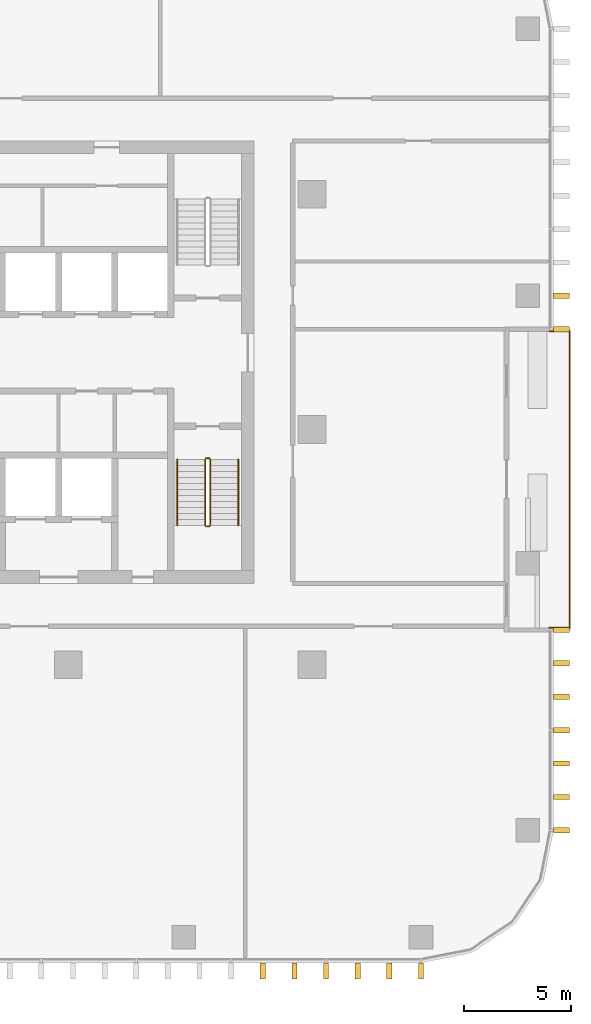
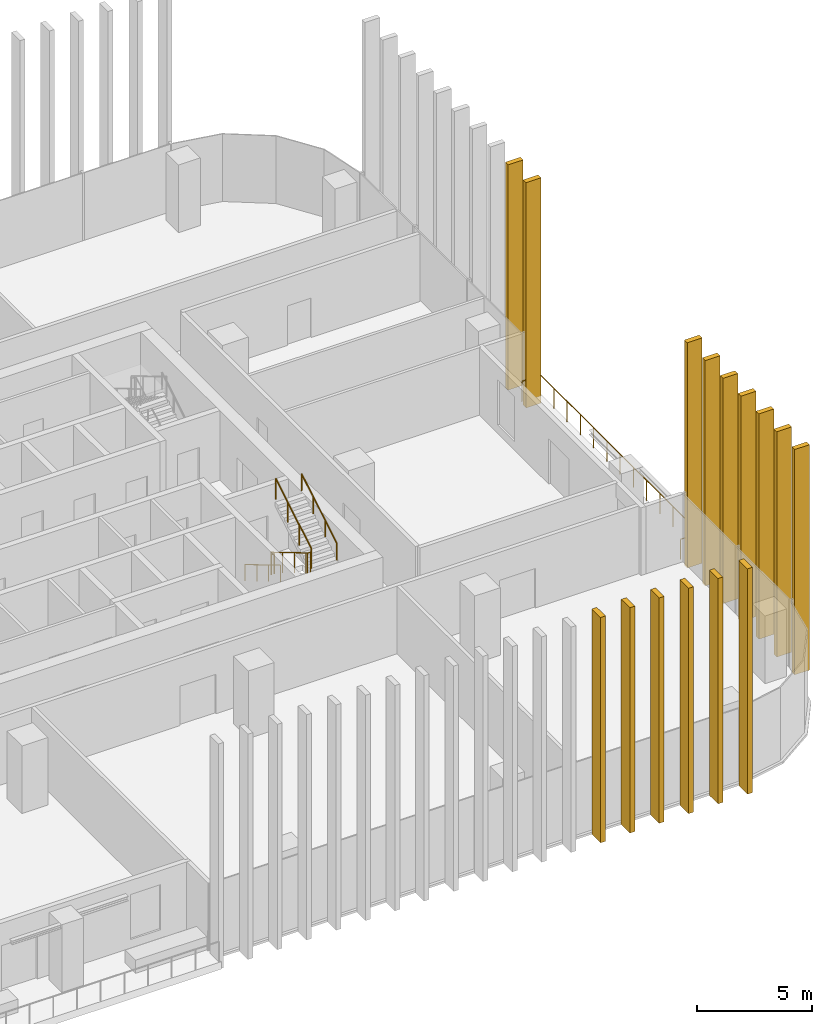
# One storey, part 13 of 15: 15 shading devices, 6 railings.
"""IFC4 building model written with IfcOpenShell, lengths in metres."""

from ifc_helpers import new_model, si_unit, direction, frame, origin, origin_2d, place, context, subcontext, project, spatial, rectangle, circle, extrude, material, type_object, element, save


model = new_model("IFC4")

# Units and contexts
model_context = context("Model", 3, precision=1e-05, world=origin(), true_north=direction((0.0, 1.0)))
body_context = subcontext(model_context, "Body", "Model", "MODEL_VIEW")
ifc_project = project(units=[si_unit("LENGTHUNIT", "METRE"), si_unit("AREAUNIT", "SQUARE_METRE"), si_unit("VOLUMEUNIT", "CUBIC_METRE"), si_unit("PLANEANGLEUNIT", "RADIAN"), si_unit("MASSUNIT", "GRAM", prefix="KILO")], contexts=[model_context])

# Site, building, storey
site_placement = place(None, origin())
site = spatial("IfcSite", under=ifc_project, at=site_placement, CompositionType="ELEMENT")
building_placement = place(site_placement, origin())
building = spatial("IfcBuilding", under=site, at=building_placement, Name="Mopane Tessera Tower", CompositionType="ELEMENT")
storey_placement = place(building_placement, frame((0.0, 0.0, 223.0)))
storey = spatial("IfcBuildingStorey", under=building, at=storey_placement, Name="L47", CompositionType="ELEMENT", Elevation=223.0)

# Shading devices
ifc_material_1 = material(Name="Glazed ceramic tile")
shading_device_type = type_object("IfcShadingDeviceType", Name="Ceramic tile fin 750 x 250 mm", PredefinedType="USERDEFINED", material=ifc_material_1)
for number, where, z_axis, x_axis, name in (
    (1, (14.800048828125, -25.324951171875, -0.39990234375), (0.0, 0.0, 1.0), (1.0, 0.0, 0.0), "e:fin:L47:S:8:1"),
    (2, (16.280029296875, -25.324951171875, -0.39990234375), (0.0, 0.0, 1.0), (1.0, 0.0, 0.0), "e:fin:L47:S:8:2"),
    (3, (17.760009765625, -25.324951171875, -0.39990234375), (0.0, 0.0, 1.0), (1.0, 0.0, 0.0), "e:fin:L47:S:9:0"),
    (4, (19.239990234375, -25.324951171875, -0.39990234375), (0.0, 0.0, 1.0), (1.0, 0.0, 0.0), "e:fin:L47:S:9:1"),
    (5, (20.719970703125, -25.324951171875, -0.39990234375), (0.0, 0.0, 1.0), (1.0, 0.0, 0.0), "e:fin:L47:S:9:2"),
    (6, (22.199951171875, -25.324951171875, -0.39990234375), (0.0, 0.0, 1.0), (1.0, 0.0, 0.0), "e:fin:L47:S:9:3"),
    (7, (28.77490234375, -18.75, -0.39990234375), (0.0, 0.0, 1.0), (0.0, 1.0, 0.0), "e:fin:L47:E:0:0"),
    (8, (28.77490234375, -17.1875, -0.39990234375), (0.0, 0.0, 1.0), (0.0, 1.0, 0.0), "e:fin:L47:E:0:1"),
    (9, (28.77490234375, -15.625, -0.39990234375), (0.0, 0.0, 1.0), (0.0, 1.0, 0.0), "e:fin:L47:E:0:2"),
    (10, (28.77490234375, -14.0625, -0.39990234375), (0.0, 0.0, 1.0), (0.0, 1.0, 0.0), "e:fin:L47:E:1:0"),
    (11, (28.77490234375, -12.5, -0.39990234375), (0.0, 0.0, 1.0), (0.0, 1.0, 0.0), "e:fin:L47:E:1:1"),
    (12, (28.77490234375, -10.9375, -0.39990234375), (0.0, 0.0, 1.0), (0.0, 1.0, 0.0), "e:fin:L47:E:1:2"),
    (13, (28.77490234375, -9.375, -0.39990234375), (0.0, 0.0, 1.0), (0.0, 1.0, 0.0), "e:fin:L47:E:1:3"),
    (14, (28.77490234375, 4.6875, -0.39990234375), (0.0, 0.0, 1.0), (0.0, 1.0, 0.0), "e:fin:L47:E:5:0"),
    (15, (28.77490234375, 6.25, -0.39990234375), (0.0, 0.0, 1.0), (0.0, 1.0, 0.0), "e:fin:L47:E:5:1"),
):
    element("IfcShadingDevice", number, at=place(storey_placement, frame(where, z_axis=z_axis, x_axis=x_axis)), inside=storey, type_object=shading_device_type, Name=name, ObjectType="FIN", PredefinedType="USERDEFINED", context=body_context, shape_type="SweptSolid", body=[
        extrude(rectangle(XDim=0.25, YDim=0.75, at=origin_2d()), origin(), (0.0, 0.0, 1.0), 12.0),
    ])

# Railings
ifc_material_2 = material(Name="Powder-coated steel balustrade", Category="steel")
railing_type_1 = type_object("IfcRailingType", Name="Escape stair guard 1100 mm", PredefinedType="GUARDRAIL", material=ifc_material_2)
railing_1_placement = place(storey_placement, frame((12.10009765625, -1.39990234375, 0.166748046875)))
element("IfcRailing", 16, at=railing_1_placement, inside=storey, type_object=railing_type_1, Name="L47 ST3 stair guard 1", PredefinedType="GUARDRAIL", context=body_context, shape_type="SweptSolid", body=[
    extrude(circle(Radius=0.02392578125, at=origin_2d()), frame((0.0, 0.0, 1.076171875), z_axis=(0.0, -0.859308565015, 0.511457515432), x_axis=(1.0, 0.0, 0.0)), (0.0, 0.0, 1.0), 3.58447265625),
    extrude(circle(Radius=0.02392578125, at=origin_2d()), frame((0.0, -3.080078125, 2.9091796875), z_axis=(0.705375805398, -0.708833529934, 0.0), x_axis=(0.708833529934, 0.705375805398, 0.0)), (0.0, 0.0, 1.0), 0.070556640625),
    extrude(circle(Radius=0.02392578125, at=origin_2d()), frame((0.0498046875, -3.130126953125, 2.9091796875), z_axis=(1.0, 0.0, 0.0), x_axis=(0.0, 1.0, 0.0)), (0.0, 0.0, 1.0), 0.150146484375),
    extrude(circle(Radius=0.02099609375, at=origin_2d()), origin(), (0.0, 0.0, 1.0), 1.052001953125),
    extrude(circle(Radius=0.02099609375, at=origin_2d()), frame((0.0, -1.026611328125, 0.611083984375)), (0.0, 0.0, 1.0), 1.052001953125),
    extrude(circle(Radius=0.02099609375, at=origin_2d()), frame((0.0, -2.053466796875, 1.22216796875)), (0.0, 0.0, 1.0), 1.052001953125),
    extrude(circle(Radius=0.02099609375, at=origin_2d()), frame((0.0, -3.080078125, 1.833251953125)), (0.0, 0.0, 1.0), 1.052001953125),
    extrude(circle(Radius=0.02099609375, at=origin_2d()), frame((0.0498046875, -3.130126953125, 1.833251953125)), (0.0, 0.0, 1.0), 1.052001953125),
    extrude(circle(Radius=0.02099609375, at=origin_2d()), frame((0.199951171875, -3.130126953125, 1.833251953125)), (0.0, 0.0, 1.0), 1.052001953125),
])
railing_2_placement = place(storey_placement, frame((12.35009765625, -4.47998046875, 2.166748046875)))
element("IfcRailing", 17, at=railing_2_placement, inside=storey, type_object=railing_type_1, Name="L47 ST3 stair guard 2", PredefinedType="GUARDRAIL", context=body_context, shape_type="SweptSolid", body=[
    extrude(circle(Radius=0.02392578125, at=origin_2d()), frame((0.0, 0.0, 1.076171875), z_axis=(0.0, 0.859308565015, 0.511457515432), x_axis=(-1.0, 0.0, 0.0)), (0.0, 0.0, 1.0), 3.58447265625),
    extrude(circle(Radius=0.02099609375, at=origin_2d()), origin(), (0.0, 0.0, 1.0), 1.052001953125),
    extrude(circle(Radius=0.02099609375, at=origin_2d()), frame((0.0, 1.026611328125, 0.611083984375)), (0.0, 0.0, 1.0), 1.052001953125),
    extrude(circle(Radius=0.02099609375, at=origin_2d()), frame((0.0, 2.053466796875, 1.22216796875)), (0.0, 0.0, 1.0), 1.052001953125),
    extrude(circle(Radius=0.02099609375, at=origin_2d()), frame((0.0, 3.080078125, 1.833251953125)), (0.0, 0.0, 1.0), 1.052001953125),
])
railing_3_placement = place(storey_placement, frame((12.14990234375, -1.35009765625, 0.0)))
element("IfcRailing", 18, at=railing_3_placement, inside=storey, type_object=railing_type_1, Name="L47 ST3 stair guard 3", PredefinedType="GUARDRAIL", context=body_context, shape_type="SweptSolid", body=[
    extrude(circle(Radius=0.02392578125, at=origin_2d()), frame((0.0, 0.0, 1.076171875), z_axis=(1.0, 0.0, 0.0), x_axis=(0.0, 1.0, 0.0)), (0.0, 0.0, 1.0), 0.150146484375),
    extrude(circle(Radius=0.02099609375, at=origin_2d()), origin(), (0.0, 0.0, 1.0), 1.052001953125),
    extrude(circle(Radius=0.02099609375, at=origin_2d()), frame((0.150146484375, 0.0, 0.0)), (0.0, 0.0, 1.0), 1.052001953125),
])
ifc_material_3 = material(Name="Powder-coated steel balustrade", Category="steel")
railing_type_2 = type_object("IfcRailingType", Name="Escape stair handrail 900 mm", PredefinedType="HANDRAIL", material=ifc_material_3)
railing_4_placement = place(storey_placement, frame((10.800048828125, -1.39990234375, 0.166748046875)))
element("IfcRailing", 19, at=railing_4_placement, inside=storey, type_object=railing_type_2, Name="L47 ST3 stair handrail 1", PredefinedType="HANDRAIL", context=body_context, shape_type="SweptSolid", body=[
    extrude(circle(Radius=0.02392578125, at=origin_2d()), frame((0.0, 0.0, 0.8759765625), z_axis=(0.0, -0.859308565015, 0.511457515432), x_axis=(1.0, 0.0, 0.0)), (0.0, 0.0, 1.0), 3.58447265625),
    extrude(circle(Radius=0.02099609375, at=origin_2d()), origin(), (0.0, 0.0, 1.0), 0.851806640625),
    extrude(circle(Radius=0.02099609375, at=origin_2d()), frame((0.0, -1.026611328125, 0.611083984375)), (0.0, 0.0, 1.0), 0.851806640625),
    extrude(circle(Radius=0.02099609375, at=origin_2d()), frame((0.0, -2.053466796875, 1.22216796875)), (0.0, 0.0, 1.0), 0.851806640625),
    extrude(circle(Radius=0.02099609375, at=origin_2d()), frame((0.0, -3.080078125, 1.833251953125)), (0.0, 0.0, 1.0), 0.851806640625),
])
railing_5_placement = place(storey_placement, frame((13.64990234375, -4.47998046875, 2.166748046875)))
element("IfcRailing", 20, at=railing_5_placement, inside=storey, type_object=railing_type_2, Name="L47 ST3 stair handrail 2", PredefinedType="HANDRAIL", context=body_context, shape_type="SweptSolid", body=[
    extrude(circle(Radius=0.02392578125, at=origin_2d()), frame((0.0, 0.0, 0.8759765625), z_axis=(0.0, 0.859308565015, 0.511457515432), x_axis=(-1.0, 0.0, 0.0)), (0.0, 0.0, 1.0), 3.58447265625),
    extrude(circle(Radius=0.02099609375, at=origin_2d()), origin(), (0.0, 0.0, 1.0), 0.851806640625),
    extrude(circle(Radius=0.02099609375, at=origin_2d()), frame((0.0, 1.026611328125, 0.611083984375)), (0.0, 0.0, 1.0), 0.851806640625),
    extrude(circle(Radius=0.02099609375, at=origin_2d()), frame((0.0, 2.053466796875, 1.22216796875)), (0.0, 0.0, 1.0), 0.851806640625),
    extrude(circle(Radius=0.02099609375, at=origin_2d()), frame((0.0, 3.080078125, 1.833251953125)), (0.0, 0.0, 1.0), 0.851806640625),
])
ifc_material_4 = material(Name="Stainless steel S316", Category="steel")
railing_type_3 = type_object("IfcRailingType", Name="Terrace guard 1100", PredefinedType="GUARDRAIL", material=ifc_material_4)
railing_6_placement = place(storey_placement, frame((28.199951171875, -9.27490234375, 0.0)))
element("IfcRailing", 21, at=railing_6_placement, inside=storey, type_object=railing_type_3, Name="e:nw:L47:N2:guard", PredefinedType="GUARDRAIL", context=body_context, shape_type="SweptSolid", body=[
    extrude(circle(Radius=0.02392578125, at=origin_2d()), frame((0.0, 0.0, 1.076171875), z_axis=(1.0, 0.0, 0.0), x_axis=(0.0, 1.0, 0.0)), (0.0, 0.0, 1.0), 0.949951171875),
    extrude(circle(Radius=0.02392578125, at=origin_2d()), frame((0.949951171875, 0.0, 1.076171875), z_axis=(0.0, 1.0, 0.0), x_axis=(-1.0, 0.0, 0.0)), (0.0, 0.0, 1.0), 13.8623046875),
    extrude(circle(Radius=0.02392578125, at=origin_2d()), frame((0.949951171875, 13.8623046875, 1.076171875), z_axis=(-1.0, 0.0, 0.0), x_axis=(0.0, -1.0, 0.0)), (0.0, 0.0, 1.0), 0.949951171875),
    extrude(circle(Radius=0.02099609375, at=origin_2d()), origin(), (0.0, 0.0, 1.0), 1.052001953125),
    extrude(circle(Radius=0.02099609375, at=origin_2d()), frame((0.949951171875, 0.0, 0.0)), (0.0, 0.0, 1.0), 1.052001953125),
    extrude(circle(Radius=0.02099609375, at=origin_2d()), frame((0.949951171875, 1.1552734375, 0.0)), (0.0, 0.0, 1.0), 1.052001953125),
    extrude(circle(Radius=0.02099609375, at=origin_2d()), frame((0.949951171875, 2.310302734375, 0.0)), (0.0, 0.0, 1.0), 1.052001953125),
    extrude(circle(Radius=0.02099609375, at=origin_2d()), frame((0.949951171875, 3.465576171875, 0.0)), (0.0, 0.0, 1.0), 1.052001953125),
    extrude(circle(Radius=0.02099609375, at=origin_2d()), frame((0.949951171875, 4.620849609375, 0.0)), (0.0, 0.0, 1.0), 1.052001953125),
    extrude(circle(Radius=0.02099609375, at=origin_2d()), frame((0.949951171875, 5.77587890625, 0.0)), (0.0, 0.0, 1.0), 1.052001953125),
    extrude(circle(Radius=0.02099609375, at=origin_2d()), frame((0.949951171875, 6.93115234375, 0.0)), (0.0, 0.0, 1.0), 1.052001953125),
    extrude(circle(Radius=0.02099609375, at=origin_2d()), frame((0.949951171875, 8.08642578125, 0.0)), (0.0, 0.0, 1.0), 1.052001953125),
    extrude(circle(Radius=0.02099609375, at=origin_2d()), frame((0.949951171875, 9.241455078125, 0.0)), (0.0, 0.0, 1.0), 1.052001953125),
    extrude(circle(Radius=0.02099609375, at=origin_2d()), frame((0.949951171875, 10.396728515625, 0.0)), (0.0, 0.0, 1.0), 1.052001953125),
    extrude(circle(Radius=0.02099609375, at=origin_2d()), frame((0.949951171875, 11.552001953125, 0.0)), (0.0, 0.0, 1.0), 1.052001953125),
    extrude(circle(Radius=0.02099609375, at=origin_2d()), frame((0.949951171875, 12.70703125, 0.0)), (0.0, 0.0, 1.0), 1.052001953125),
    extrude(circle(Radius=0.02099609375, at=origin_2d()), frame((0.949951171875, 13.8623046875, 0.0)), (0.0, 0.0, 1.0), 1.052001953125),
    extrude(circle(Radius=0.02099609375, at=origin_2d()), frame((0.0, 13.8623046875, 0.0)), (0.0, 0.0, 1.0), 1.052001953125),
])

save(model, "model.ifc")
